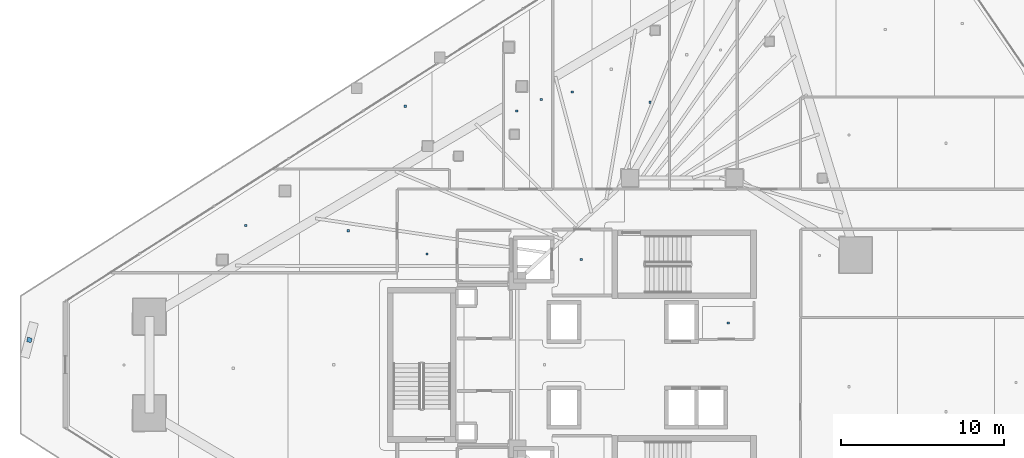
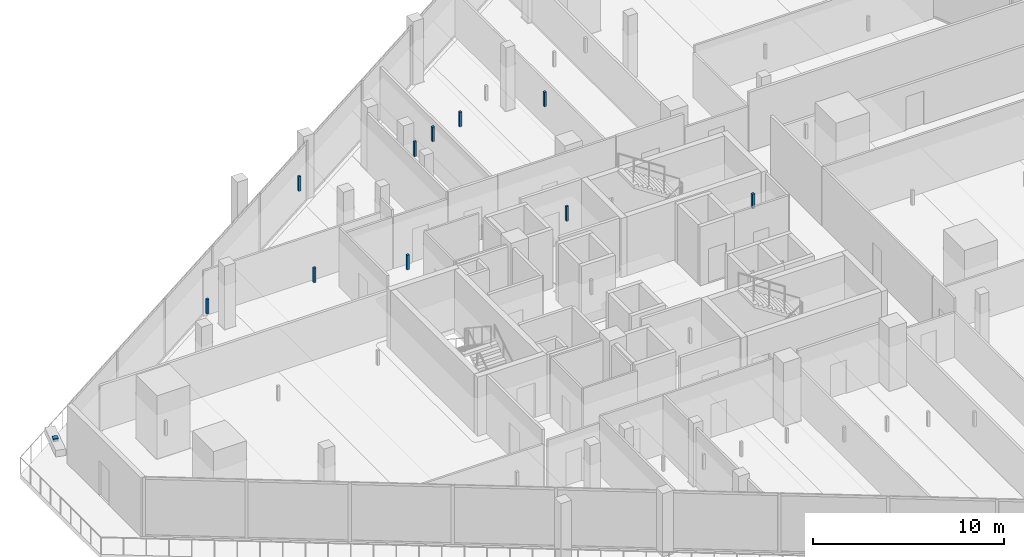
# One storey, part 34 of 44: 11 discrete accessories.
"""IFC4 building model written with IfcOpenShell, lengths in metres."""

from ifc_helpers import new_model, si_unit, direction, frame, origin, origin_2d, place, context, subcontext, project, spatial, rectangle, extrude, material, type_object, element, save


model = new_model("IFC4")

# Units and contexts
model_context = context("Model", 3, precision=1e-05, world=origin(), true_north=direction((0.0, 1.0)))
body_context = subcontext(model_context, "Body", "Model", "MODEL_VIEW")
ifc_project = project(units=[si_unit("LENGTHUNIT", "METRE"), si_unit("AREAUNIT", "SQUARE_METRE"), si_unit("VOLUMEUNIT", "CUBIC_METRE"), si_unit("PLANEANGLEUNIT", "RADIAN"), si_unit("MASSUNIT", "GRAM", prefix="KILO")], contexts=[model_context])

# Site, building, storey
site_placement = place(None, origin())
site = spatial("IfcSite", under=ifc_project, at=site_placement, CompositionType="ELEMENT")
building_placement = place(site_placement, origin())
building = spatial("IfcBuilding", under=site, at=building_placement, Name="Qorvath Tower", CompositionType="ELEMENT")
storey_placement = place(building_placement, frame((0.0, 0.0, 113.85009765625)))
storey = spatial("IfcBuildingStorey", under=building, at=storey_placement, Name="L25", CompositionType="ELEMENT", Elevation=113.85009765625)

# Discrete accessories
ifc_material = material(Name="Galvanised steel bracket", Category="steel")
discrete_accessory_type = type_object("IfcDiscreteAccessoryType", Name="DA-BRACKET", PredefinedType="BRACKET", material=ifc_material)
discrete_accessory_placement = place(storey_placement, frame((-60.404296875, 1.518798828125, 3.6298828125), z_axis=(0.0, 0.0, 1.0), x_axis=(-0.257048459954, -0.966398514711, 0.0)))
element("IfcDiscreteAccessory", 1, at=discrete_accessory_placement, inside=storey, type_object=discrete_accessory_type, Name="Louvre Wave Support Bracket L25-01", PredefinedType="NOTDEFINED", context=body_context, shape_type="SweptSolid", body=[
    extrude(rectangle(XDim=0.280029296875, YDim=0.280029296875, at=origin_2d()), origin(), (0.0, 0.0, 1.0), 0.199951171875),
])
for number, where, z_axis, x_axis, name in (
    (2, (-26.590087890625, 6.449951171875, 2.85986328125), (0.0, 0.0, 1.0), (1.0, 0.0, 0.0), "Acoustic Ceiling Suspension Hanger T1-L25-001"),
    (3, (-17.572509765625, 2.5625, 2.85986328125), (0.0, 0.0, 1.0), (1.0, 0.0, 0.0), "Acoustic Ceiling Suspension Hanger T1-L25-003"),
    (4, (-36.040283203125, 6.782470703125, 2.85986328125), (0.0, 0.0, 1.0), (1.0, 0.0, 0.0), "Acoustic Ceiling Suspension Hanger T1-L25-009"),
    (5, (-37.372802734375, 15.841064453125, 2.85986328125), (0.0, 0.0, 1.0), (1.0, 0.0, 0.0), "Acoustic Ceiling Suspension Hanger T1-L25-011"),
    (6, (-30.538818359375, 15.55810546875, 2.85986328125), (0.0, 0.0, 1.0), (1.0, 0.0, 0.0), "Acoustic Ceiling Suspension Hanger T1-L25-013"),
    (7, (-29.042724609375, 16.261474609375, 2.85986328125), (0.0, 0.0, 1.0), (1.0, 0.0, 0.0), "Acoustic Ceiling Suspension Hanger T1-L25-014"),
    (8, (-27.12744140625, 16.71875, 2.85986328125), (0.0, 0.0, 1.0), (1.0, 0.0, 0.0), "Acoustic Ceiling Suspension Hanger T1-L25-015"),
    (9, (-22.364501953125, 16.088623046875, 2.85986328125), (0.0, 0.0, 1.0), (1.0, 0.0, 0.0), "Acoustic Ceiling Suspension Hanger T1-L25-017"),
    (10, (-47.1494140625, 8.52978515625, 2.85986328125), (0.0, 0.0, 1.0), (1.0, 0.0, 0.0), "Acoustic Ceiling Suspension Hanger T1-L25-048"),
    (11, (-40.855712890625, 8.208740234375, 2.85986328125), (0.0, 0.0, 1.0), (1.0, 0.0, 0.0), "Acoustic Ceiling Suspension Hanger T1-L25-049"),
):
    element("IfcDiscreteAccessory", number, at=place(storey_placement, frame(where, z_axis=z_axis, x_axis=x_axis)), inside=storey, type_object=discrete_accessory_type, Name=name, PredefinedType="NOTDEFINED", context=body_context, shape_type="SweptSolid", body=[
        extrude(rectangle(XDim=0.139892578125, YDim=0.139892578125, at=origin_2d()), origin(), (0.0, 0.0, 1.0), 0.940185546875),
    ])

save(model, "model.ifc")
